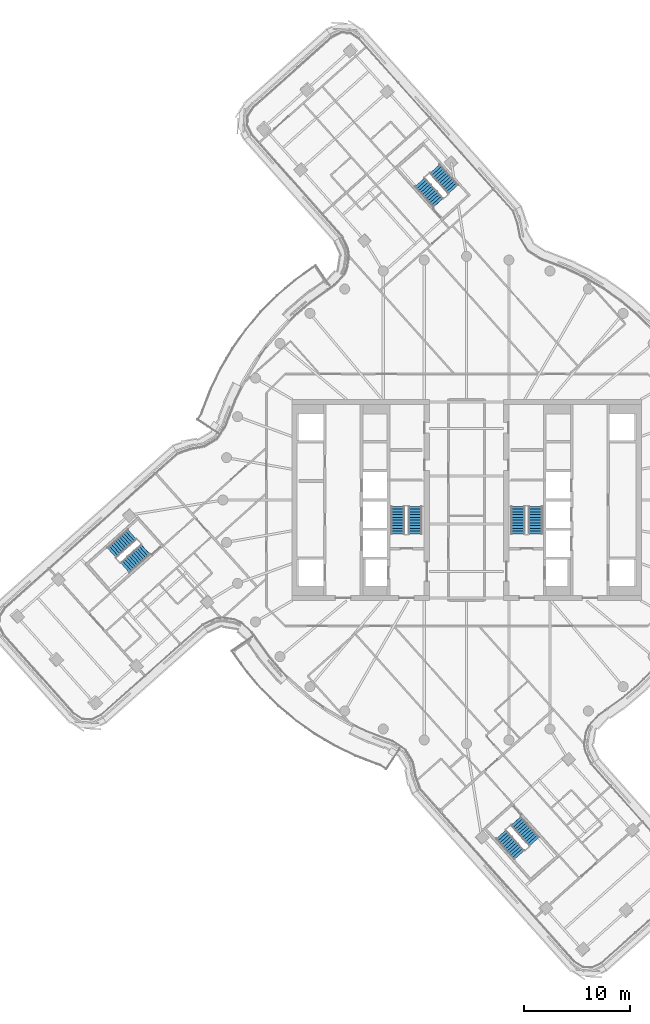
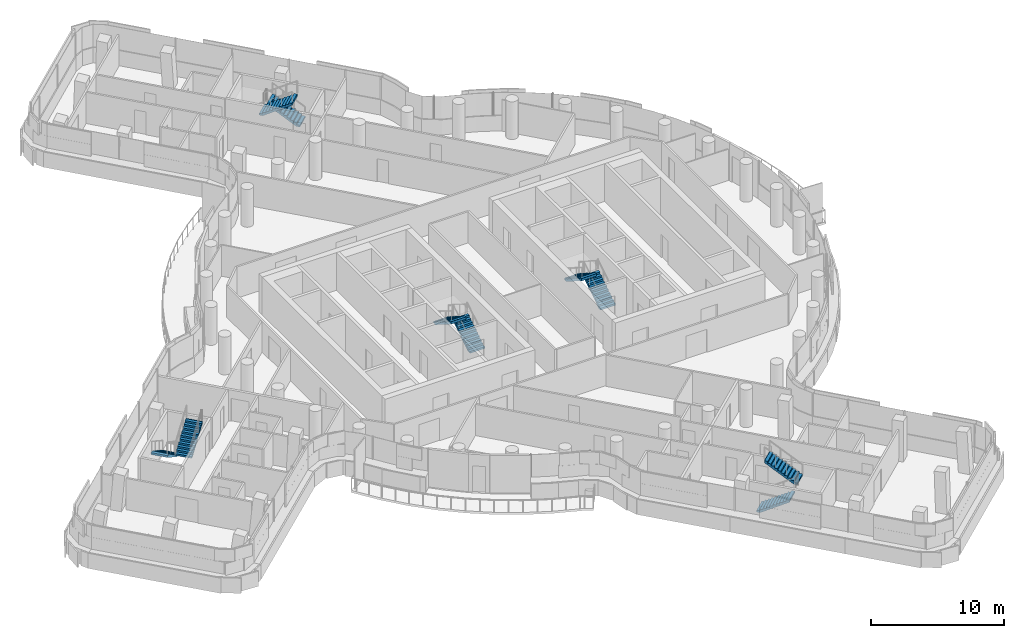
# One storey, part 25 of 33: 10 stair flights, 5 elements without a shape of their own.
"""IFC4 building model written with IfcOpenShell, lengths in metres."""

from ifc_helpers import new_model, si_unit, direction, frame, origin, place, context, subcontext, project, spatial, polyline, outline, extrude, material, type_object, element, aggregate, save


model = new_model("IFC4")

# Units and contexts
model_context = context("Model", 3, precision=1e-05, world=origin(), true_north=direction((0.0, 1.0)))
body_context = subcontext(model_context, "Body", "Model", "MODEL_VIEW")
ifc_project = project(units=[si_unit("LENGTHUNIT", "METRE"), si_unit("AREAUNIT", "SQUARE_METRE"), si_unit("VOLUMEUNIT", "CUBIC_METRE"), si_unit("PLANEANGLEUNIT", "RADIAN"), si_unit("MASSUNIT", "GRAM", prefix="KILO")], contexts=[model_context])

# Site, building, storey
site_placement = place(None, origin())
site = spatial("IfcSite", under=ifc_project, at=site_placement, CompositionType="ELEMENT")
building_placement = place(site_placement, origin())
building = spatial("IfcBuilding", under=site, at=building_placement, Name="Tamarind Cross Interchange Tower", CompositionType="ELEMENT")
storey_placement = place(building_placement, frame((0.0, 0.0, 186.10009765625)))
storey = spatial("IfcBuildingStorey", under=building, at=storey_placement, Name="L46", CompositionType="ELEMENT", Elevation=186.10009765625)

# Stair, stair flights
ifc_material_1 = material(Name="Exit stair")
stair_type = type_object("IfcStairType", Name="Exit stair", PredefinedType="HALF_TURN_STAIR", material=ifc_material_1)
stair_1_placement = place(storey_placement, origin())
stair_1 = element("IfcStair", 1, at=stair_1_placement, inside=storey, type_object=stair_type, Name="L46 exit stair ST1", PredefinedType="HALF_TURN_STAIR")
ifc_material_2 = material(Name="Exit stair flight")
stair_flight_type = type_object("IfcStairFlightType", Name="Exit stair flight", PredefinedType="STRAIGHT", material=ifc_material_2)
stair_flight_1_placement = place(storey_placement, frame((-4.85009765625, -3.199951171875, 0.0), z_axis=(0.0, 0.0, 1.0), x_axis=(0.0, 1.0, 0.0)))
stair_flight_1 = element("IfcStairFlight", 2, at=stair_flight_1_placement, type_object=stair_flight_type, Name="ST1 flight 1", NumberOfRisers=11, NumberOfTreads=10, PredefinedType="STRAIGHT", RiserHeight=0.163636364, TreadLength=0.26, context=body_context, shape_type="SweptSolid", body=[
    extrude(outline(polyline([(0.0, 0.0), (0.0, 0.16357421875), (0.260009765625, 0.16357421875), (0.260009765625, 0.327392578125), (0.52001953125, 0.327392578125), (0.52001953125, 0.490966796875), (0.780029296875, 0.490966796875), (0.780029296875, 0.654541015625), (1.0400390625, 0.654541015625), (1.0400390625, 0.818115234375), (1.300048828125, 0.818115234375), (1.300048828125, 0.98193359375), (1.56005859375, 0.98193359375), (1.56005859375, 1.1455078125), (1.820068359375, 1.1455078125), (1.820068359375, 1.30908203125), (2.080078125, 1.30908203125), (2.080078125, 1.47265625), (2.340087890625, 1.47265625), (2.340087890625, 1.636474609375), (2.60009765625, 1.636474609375), (2.60009765625, 1.800048828125), (2.60009765625, 1.459228515625), (0.281494140625, 0.0), (0.0, 0.0)])), frame((0.0, 0.64990234375, 0.0), z_axis=(0.0, -1.0, 0.0), x_axis=(1.0, 0.0, 0.0)), (0.0, 0.0, 1.0), 1.300048828125),
])
stair_flight_2_placement = place(storey_placement, frame((-6.5, -0.60009765625, 1.7998046875), z_axis=(0.0, 0.0, 1.0), x_axis=(0.0, -1.0, 0.0)))
stair_flight_2 = element("IfcStairFlight", 3, at=stair_flight_2_placement, type_object=stair_flight_type, Name="ST1 flight 2", NumberOfRisers=11, NumberOfTreads=10, PredefinedType="STRAIGHT", RiserHeight=0.163636364, TreadLength=0.26, context=body_context, shape_type="SweptSolid", body=[
    extrude(outline(polyline([(0.0, 0.0), (0.0, 0.16357421875), (0.260009765625, 0.16357421875), (0.260009765625, 0.327392578125), (0.52001953125, 0.327392578125), (0.52001953125, 0.490966796875), (0.780029296875, 0.490966796875), (0.780029296875, 0.654541015625), (1.0400390625, 0.654541015625), (1.0400390625, 0.818115234375), (1.300048828125, 0.818115234375), (1.300048828125, 0.98193359375), (1.56005859375, 0.98193359375), (1.56005859375, 1.1455078125), (1.820068359375, 1.1455078125), (1.820068359375, 1.30908203125), (2.080078125, 1.30908203125), (2.080078125, 1.47265625), (2.340087890625, 1.47265625), (2.340087890625, 1.636474609375), (2.60009765625, 1.636474609375), (2.60009765625, 1.679931640625), (2.612060546875, 1.679931640625), (2.612060546875, 1.466796875), (0.281494140625, 0.0), (0.0, 0.0)])), frame((0.0, 0.64990234375, 0.0), z_axis=(0.0, -1.0, 0.0), x_axis=(1.0, 0.0, 0.0)), (0.0, 0.0, 1.0), 1.300048828125),
])
aggregate(stair_1, [stair_flight_1, stair_flight_2])

stair_2_placement = place(storey_placement, origin())
stair_2 = element("IfcStair", 4, at=stair_2_placement, inside=storey, type_object=stair_type, Name="L46 exit stair ST2", PredefinedType="HALF_TURN_STAIR")
stair_flight_3_placement = place(storey_placement, frame((6.5, -3.199951171875, 0.0), z_axis=(0.0, 0.0, 1.0), x_axis=(0.0, 1.0, 0.0)))
stair_flight_3 = element("IfcStairFlight", 5, at=stair_flight_3_placement, type_object=stair_flight_type, Name="ST2 flight 1", NumberOfRisers=11, NumberOfTreads=10, PredefinedType="STRAIGHT", RiserHeight=0.163636364, TreadLength=0.26, context=body_context, shape_type="SweptSolid", body=[
    extrude(outline(polyline([(0.0, 0.0), (0.0, 0.16357421875), (0.260009765625, 0.16357421875), (0.260009765625, 0.327392578125), (0.52001953125, 0.327392578125), (0.52001953125, 0.490966796875), (0.780029296875, 0.490966796875), (0.780029296875, 0.654541015625), (1.0400390625, 0.654541015625), (1.0400390625, 0.818115234375), (1.300048828125, 0.818115234375), (1.300048828125, 0.98193359375), (1.56005859375, 0.98193359375), (1.56005859375, 1.1455078125), (1.820068359375, 1.1455078125), (1.820068359375, 1.30908203125), (2.080078125, 1.30908203125), (2.080078125, 1.47265625), (2.340087890625, 1.47265625), (2.340087890625, 1.636474609375), (2.60009765625, 1.636474609375), (2.60009765625, 1.800048828125), (2.60009765625, 1.459228515625), (0.281494140625, 0.0), (0.0, 0.0)])), frame((0.0, 0.64990234375, 0.0), z_axis=(0.0, -1.0, 0.0), x_axis=(1.0, 0.0, 0.0)), (0.0, 0.0, 1.0), 1.300048828125),
])
stair_flight_4_placement = place(storey_placement, frame((4.85009765625, -0.60009765625, 1.7998046875), z_axis=(0.0, 0.0, 1.0), x_axis=(0.0, -1.0, 0.0)))
stair_flight_4 = element("IfcStairFlight", 6, at=stair_flight_4_placement, type_object=stair_flight_type, Name="ST2 flight 2", NumberOfRisers=11, NumberOfTreads=10, PredefinedType="STRAIGHT", RiserHeight=0.163636364, TreadLength=0.26, context=body_context, shape_type="SweptSolid", body=[
    extrude(outline(polyline([(0.0, 0.0), (0.0, 0.16357421875), (0.260009765625, 0.16357421875), (0.260009765625, 0.327392578125), (0.52001953125, 0.327392578125), (0.52001953125, 0.490966796875), (0.780029296875, 0.490966796875), (0.780029296875, 0.654541015625), (1.0400390625, 0.654541015625), (1.0400390625, 0.818115234375), (1.300048828125, 0.818115234375), (1.300048828125, 0.98193359375), (1.56005859375, 0.98193359375), (1.56005859375, 1.1455078125), (1.820068359375, 1.1455078125), (1.820068359375, 1.30908203125), (2.080078125, 1.30908203125), (2.080078125, 1.47265625), (2.340087890625, 1.47265625), (2.340087890625, 1.636474609375), (2.60009765625, 1.636474609375), (2.60009765625, 1.679931640625), (2.612060546875, 1.679931640625), (2.612060546875, 1.466796875), (0.281494140625, 0.0), (0.0, 0.0)])), frame((0.0, 0.64990234375, 0.0), z_axis=(0.0, -1.0, 0.0), x_axis=(1.0, 0.0, 0.0)), (0.0, 0.0, 1.0), 1.300048828125),
])
aggregate(stair_2, [stair_flight_3, stair_flight_4])

stair_3_placement = place(storey_placement, origin())
stair_3 = element("IfcStair", 7, at=stair_3_placement, inside=storey, type_object=stair_type, Name="L46 exit stair ST4", PredefinedType="HALF_TURN_STAIR")
stair_flight_5_placement = place(storey_placement, frame((-1.25341796875, 29.32958984375, 0.0), z_axis=(0.0, 0.0, 1.0), x_axis=(-0.666428375667, 0.745569057905, 0.0)))
stair_flight_5 = element("IfcStairFlight", 8, at=stair_flight_5_placement, type_object=stair_flight_type, Name="ST4 flight 1", NumberOfRisers=11, NumberOfTreads=10, PredefinedType="STRAIGHT", RiserHeight=0.163636364, TreadLength=0.26, context=body_context, shape_type="SweptSolid", body=[
    extrude(outline(polyline([(0.0, 0.0), (0.0, 0.16357421875), (0.260009765625, 0.16357421875), (0.260009765625, 0.327392578125), (0.52001953125, 0.327392578125), (0.52001953125, 0.490966796875), (0.780029296875, 0.490966796875), (0.780029296875, 0.654541015625), (1.0400390625, 0.654541015625), (1.0400390625, 0.818115234375), (1.300048828125, 0.818115234375), (1.300048828125, 0.98193359375), (1.56005859375, 0.98193359375), (1.56005859375, 1.1455078125), (1.820068359375, 1.1455078125), (1.820068359375, 1.30908203125), (2.080078125, 1.30908203125), (2.080078125, 1.47265625), (2.340087890625, 1.47265625), (2.340087890625, 1.636474609375), (2.60009765625, 1.636474609375), (2.60009765625, 1.800048828125), (2.60009765625, 1.459228515625), (0.281494140625, 0.0), (0.0, 0.0)])), frame((0.0, 0.64990234375, 0.0), z_axis=(0.0, -1.0, 0.0), x_axis=(1.0, 0.0, 0.0)), (0.0, 0.0, 1.0), 1.300048828125),
])
stair_flight_6_placement = place(storey_placement, frame((-4.40283203125, 30.001708984375, 1.7998046875), z_axis=(0.0, 0.0, 1.0), x_axis=(0.666428375667, -0.745569057905, 0.0)))
stair_flight_6 = element("IfcStairFlight", 9, at=stair_flight_6_placement, type_object=stair_flight_type, Name="ST4 flight 2", NumberOfRisers=11, NumberOfTreads=10, PredefinedType="STRAIGHT", RiserHeight=0.163636364, TreadLength=0.26, context=body_context, shape_type="SweptSolid", body=[
    extrude(outline(polyline([(0.0, 0.0), (0.0, 0.16357421875), (0.260009765625, 0.16357421875), (0.260009765625, 0.327392578125), (0.52001953125, 0.327392578125), (0.52001953125, 0.490966796875), (0.780029296875, 0.490966796875), (0.780029296875, 0.654541015625), (1.0400390625, 0.654541015625), (1.0400390625, 0.818115234375), (1.300048828125, 0.818115234375), (1.300048828125, 0.98193359375), (1.56005859375, 0.98193359375), (1.56005859375, 1.1455078125), (1.820068359375, 1.1455078125), (1.820068359375, 1.30908203125), (2.080078125, 1.30908203125), (2.080078125, 1.47265625), (2.340087890625, 1.47265625), (2.340087890625, 1.636474609375), (2.60009765625, 1.636474609375), (2.60009765625, 1.679931640625), (2.612060546875, 1.679931640625), (2.612060546875, 1.466796875), (0.281494140625, 0.0), (0.0, 0.0)])), frame((0.0, 0.64990234375, 0.0), z_axis=(0.0, -1.0, 0.0), x_axis=(1.0, 0.0, 0.0)), (0.0, 0.0, 1.0), 1.300048828125),
])
aggregate(stair_3, [stair_flight_5, stair_flight_6])

stair_4_placement = place(storey_placement, origin())
stair_4 = element("IfcStair", 10, at=stair_4_placement, inside=storey, type_object=stair_type, Name="L46 exit stair ST5", PredefinedType="HALF_TURN_STAIR")
stair_flight_7_placement = place(storey_placement, frame((-31.566162109375, -3.252685546875, 0.0), z_axis=(0.0, 0.0, 1.0), x_axis=(-0.745569057905, -0.666428375667, 0.0)))
stair_flight_7 = element("IfcStairFlight", 11, at=stair_flight_7_placement, type_object=stair_flight_type, Name="ST5 flight 1", NumberOfRisers=11, NumberOfTreads=10, PredefinedType="STRAIGHT", RiserHeight=0.163636364, TreadLength=0.26, context=body_context, shape_type="SweptSolid", body=[
    extrude(outline(polyline([(0.0, 0.0), (0.0, 0.16357421875), (0.260009765625, 0.16357421875), (0.260009765625, 0.327392578125), (0.52001953125, 0.327392578125), (0.52001953125, 0.490966796875), (0.780029296875, 0.490966796875), (0.780029296875, 0.654541015625), (1.0400390625, 0.654541015625), (1.0400390625, 0.818115234375), (1.300048828125, 0.818115234375), (1.300048828125, 0.98193359375), (1.56005859375, 0.98193359375), (1.56005859375, 1.1455078125), (1.820068359375, 1.1455078125), (1.820068359375, 1.30908203125), (2.080078125, 1.30908203125), (2.080078125, 1.47265625), (2.340087890625, 1.47265625), (2.340087890625, 1.636474609375), (2.60009765625, 1.636474609375), (2.60009765625, 1.800048828125), (2.60009765625, 1.459228515625), (0.281494140625, 0.0), (0.0, 0.0)])), frame((0.0, 0.64990234375, 0.0), z_axis=(0.0, -1.0, 0.0), x_axis=(1.0, 0.0, 0.0)), (0.0, 0.0, 1.0), 1.300048828125),
])
stair_flight_8_placement = place(storey_placement, frame((-32.238525390625, -6.402099609375, 1.7998046875), z_axis=(0.0, 0.0, 1.0), x_axis=(0.745569057905, 0.666428375667, 0.0)))
stair_flight_8 = element("IfcStairFlight", 12, at=stair_flight_8_placement, type_object=stair_flight_type, Name="ST5 flight 2", NumberOfRisers=11, NumberOfTreads=10, PredefinedType="STRAIGHT", RiserHeight=0.163636364, TreadLength=0.26, context=body_context, shape_type="SweptSolid", body=[
    extrude(outline(polyline([(0.0, 0.0), (0.0, 0.16357421875), (0.260009765625, 0.16357421875), (0.260009765625, 0.327392578125), (0.52001953125, 0.327392578125), (0.52001953125, 0.490966796875), (0.780029296875, 0.490966796875), (0.780029296875, 0.654541015625), (1.0400390625, 0.654541015625), (1.0400390625, 0.818115234375), (1.300048828125, 0.818115234375), (1.300048828125, 0.98193359375), (1.56005859375, 0.98193359375), (1.56005859375, 1.1455078125), (1.820068359375, 1.1455078125), (1.820068359375, 1.30908203125), (2.080078125, 1.30908203125), (2.080078125, 1.47265625), (2.340087890625, 1.47265625), (2.340087890625, 1.636474609375), (2.60009765625, 1.636474609375), (2.60009765625, 1.679931640625), (2.612060546875, 1.679931640625), (2.612060546875, 1.466796875), (0.281494140625, 0.0), (0.0, 0.0)])), frame((0.0, 0.64990234375, 0.0), z_axis=(0.0, -1.0, 0.0), x_axis=(1.0, 0.0, 0.0)), (0.0, 0.0, 1.0), 1.300048828125),
])
aggregate(stair_4, [stair_flight_7, stair_flight_8])

stair_5_placement = place(storey_placement, origin())
stair_5 = element("IfcStair", 13, at=stair_5_placement, inside=storey, type_object=stair_type, Name="L46 exit stair ST6", PredefinedType="HALF_TURN_STAIR")
stair_flight_9_placement = place(storey_placement, frame((3.252685546875, -31.566162109375, 0.0), z_axis=(0.0, 0.0, 1.0), x_axis=(0.666428375667, -0.745569057905, 0.0)))
stair_flight_9 = element("IfcStairFlight", 14, at=stair_flight_9_placement, type_object=stair_flight_type, Name="ST6 flight 1", NumberOfRisers=11, NumberOfTreads=10, PredefinedType="STRAIGHT", RiserHeight=0.163636364, TreadLength=0.26, context=body_context, shape_type="SweptSolid", body=[
    extrude(outline(polyline([(0.0, 0.0), (0.0, 0.16357421875), (0.260009765625, 0.16357421875), (0.260009765625, 0.327392578125), (0.52001953125, 0.327392578125), (0.52001953125, 0.490966796875), (0.780029296875, 0.490966796875), (0.780029296875, 0.654541015625), (1.0400390625, 0.654541015625), (1.0400390625, 0.818115234375), (1.300048828125, 0.818115234375), (1.300048828125, 0.98193359375), (1.56005859375, 0.98193359375), (1.56005859375, 1.1455078125), (1.820068359375, 1.1455078125), (1.820068359375, 1.30908203125), (2.080078125, 1.30908203125), (2.080078125, 1.47265625), (2.340087890625, 1.47265625), (2.340087890625, 1.636474609375), (2.60009765625, 1.636474609375), (2.60009765625, 1.800048828125), (2.60009765625, 1.459228515625), (0.281494140625, 0.0), (0.0, 0.0)])), frame((0.0, 0.64990234375, 0.0), z_axis=(0.0, -1.0, 0.0), x_axis=(1.0, 0.0, 0.0)), (0.0, 0.0, 1.0), 1.300048828125),
])
stair_flight_10_placement = place(storey_placement, frame((6.402099609375, -32.238525390625, 1.7998046875), z_axis=(0.0, 0.0, 1.0), x_axis=(-0.666428375667, 0.745569057905, 0.0)))
stair_flight_10 = element("IfcStairFlight", 15, at=stair_flight_10_placement, type_object=stair_flight_type, Name="ST6 flight 2", NumberOfRisers=11, NumberOfTreads=10, PredefinedType="STRAIGHT", RiserHeight=0.163636364, TreadLength=0.26, context=body_context, shape_type="SweptSolid", body=[
    extrude(outline(polyline([(0.0, 0.0), (0.0, 0.16357421875), (0.260009765625, 0.16357421875), (0.260009765625, 0.327392578125), (0.52001953125, 0.327392578125), (0.52001953125, 0.490966796875), (0.780029296875, 0.490966796875), (0.780029296875, 0.654541015625), (1.0400390625, 0.654541015625), (1.0400390625, 0.818115234375), (1.300048828125, 0.818115234375), (1.300048828125, 0.98193359375), (1.56005859375, 0.98193359375), (1.56005859375, 1.1455078125), (1.820068359375, 1.1455078125), (1.820068359375, 1.30908203125), (2.080078125, 1.30908203125), (2.080078125, 1.47265625), (2.340087890625, 1.47265625), (2.340087890625, 1.636474609375), (2.60009765625, 1.636474609375), (2.60009765625, 1.679931640625), (2.612060546875, 1.679931640625), (2.612060546875, 1.466796875), (0.281494140625, 0.0), (0.0, 0.0)])), frame((0.0, 0.64990234375, 0.0), z_axis=(0.0, -1.0, 0.0), x_axis=(1.0, 0.0, 0.0)), (0.0, 0.0, 1.0), 1.300048828125),
])
aggregate(stair_5, [stair_flight_9, stair_flight_10])

save(model, "model.ifc")
